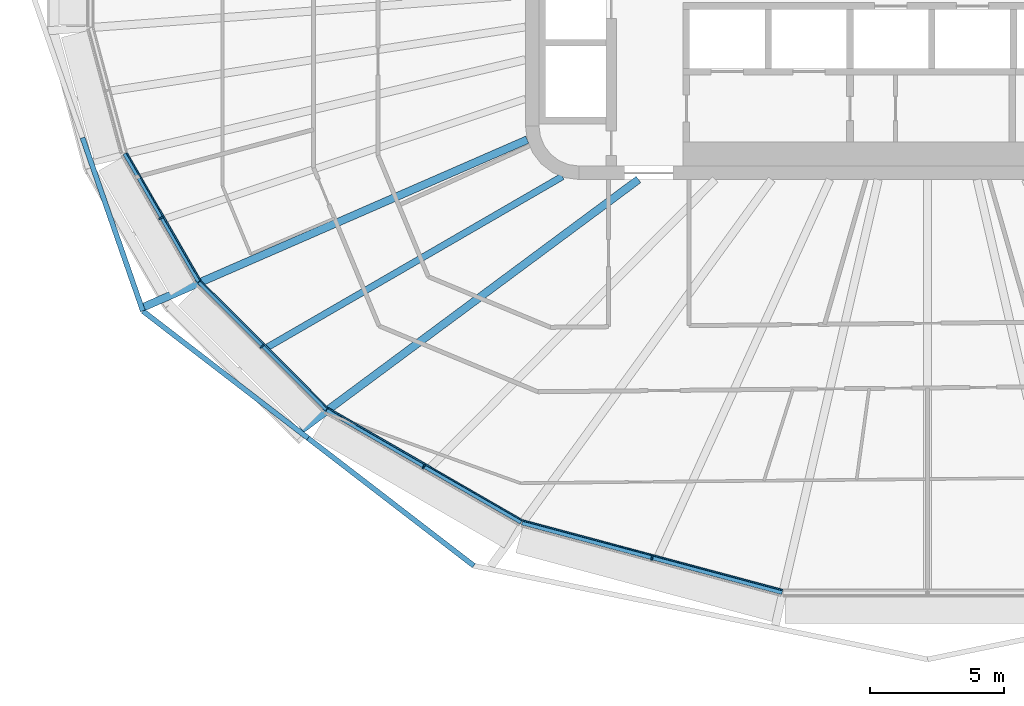
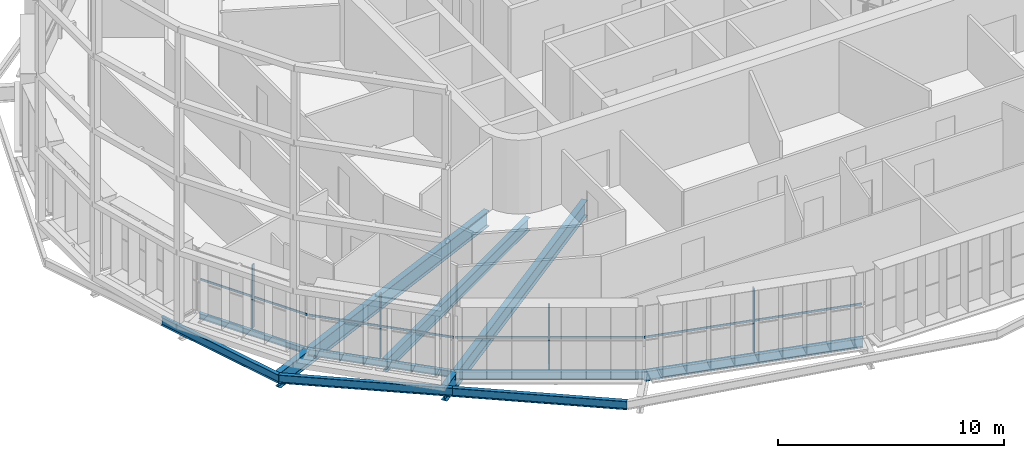
# One storey, part 1 of 24: 10 beams, 8 members, 4 elements without a shape of their own.
"""IFC4 building model written with IfcOpenShell, lengths in metres."""

from ifc_helpers import new_model, si_unit, direction, frame, origin, origin_2d, place, context, subcontext, project, spatial, rectangle, i_section, extrude, material, layer, layer_set, material_profile, profile_set, type_object, element, aggregate, save


model = new_model("IFC4")

# Units and contexts
model_context = context("Model", 3, precision=1e-05, world=origin(), true_north=direction((0.0, 1.0)))
body_context = subcontext(model_context, "Body", "Model", "MODEL_VIEW")
ifc_project = project(units=[si_unit("LENGTHUNIT", "METRE"), si_unit("AREAUNIT", "SQUARE_METRE"), si_unit("VOLUMEUNIT", "CUBIC_METRE"), si_unit("PLANEANGLEUNIT", "RADIAN"), si_unit("MASSUNIT", "GRAM", prefix="KILO")], contexts=[model_context])

# Site, building, storey
site_placement = place(None, origin())
site = spatial("IfcSite", under=ifc_project, at=site_placement, CompositionType="ELEMENT")
building_placement = place(site_placement, origin())
building = spatial("IfcBuilding", under=site, at=building_placement, Name="Sahrelin Media Tower", CompositionType="ELEMENT")
storey_placement = place(building_placement, frame((0.0, 0.0, 153.60009765625)))
storey = spatial("IfcBuildingStorey", under=building, at=storey_placement, Name="L31", CompositionType="ELEMENT", Elevation=153.60009765625)

# Beams
ifc_material_1 = material(Name="Steel S355", Category="steel")
ifc_material_profile_1 = material_profile(ifc_material_1, i_section(OverallWidth=0.1650390625, OverallDepth=0.303466796875, WebThickness=0.006103515625, FlangeThickness=0.01025390625, FilletRadius=0.0087890625, at=origin_2d()), Name="UB 305x165x40")
ifc_profile_set_1 = profile_set([ifc_material_profile_1], Name="Steel S355")
beam_type_1 = type_object("IfcBeamType", Name="Edge beam EB2", PredefinedType="BEAM", material=ifc_profile_set_1)
beam_1_placement = place(storey_placement, frame((-27.1826171875, -11.80078125, -0.3017578125), z_axis=(-0.499996181239, 0.866027608536, 0.0), x_axis=(-0.866027608536, -0.499996181239, 0.0)))
element("IfcBeam", 1, at=beam_1_placement, inside=storey, type_object=beam_type_1, Name="Edge beam L31-11", PredefinedType="BEAM", context=body_context, shape_type="SweptSolid", body=[
    extrude(i_section(OverallWidth=0.1650390625, OverallDepth=0.303466796875, WebThickness=0.006103515625, FlangeThickness=0.01025390625, FilletRadius=0.0087890625, at=origin_2d()), origin(), (0.0, 0.0, 1.0), 5.50732421875),
])
ifc_material_profile_2 = material_profile(ifc_material_1, i_section(OverallWidth=0.17138671875, OverallDepth=0.35498046875, WebThickness=0.00732421875, FlangeThickness=0.011474609375, FilletRadius=0.01025390625, at=origin_2d()), Name="UB 356x171x51")
ifc_profile_set_2 = profile_set([ifc_material_profile_2], Name="Steel S355")
beam_type_2 = type_object("IfcBeamType", Name="Edge beam EB3", PredefinedType="BEAM", material=ifc_profile_set_2)
beam_2_placement = place(storey_placement, frame((-22.424072265625, -16.564697265625, -0.32763671875), z_axis=(-0.707088574851, 0.707124987054, 0.0), x_axis=(-0.707124987054, -0.707088574851, 0.0)))
element("IfcBeam", 2, at=beam_2_placement, inside=storey, type_object=beam_type_2, Name="Edge beam L31-10", PredefinedType="BEAM", context=body_context, shape_type="SweptSolid", body=[
    extrude(i_section(OverallWidth=0.17138671875, OverallDepth=0.35498046875, WebThickness=0.00732421875, FlangeThickness=0.011474609375, FilletRadius=0.01025390625, at=origin_2d()), origin(), (0.0, 0.0, 1.0), 6.704833984375),
])
ifc_material_profile_3 = material_profile(ifc_material_1, i_section(OverallWidth=0.1904296875, OverallDepth=0.45703125, WebThickness=0.009033203125, FlangeThickness=0.014404296875, FilletRadius=0.01025390625, at=origin_2d()), Name="UB 457x191x74")
ifc_profile_set_3 = profile_set([ifc_material_profile_3], Name="Steel S355")
beam_type_3 = type_object("IfcBeamType", Name="Edge beam EB5", PredefinedType="BEAM", material=ifc_profile_set_3)
beam_3_placement = place(storey_placement, frame((-15.15087890625, -20.76806640625, -0.378662109375), z_axis=(-0.866019985848, 0.500009384024, 0.0), x_axis=(-0.500009384024, -0.866019985848, 0.0)))
element("IfcBeam", 3, at=beam_3_placement, inside=storey, type_object=beam_type_3, Name="Edge beam L31-09", PredefinedType="BEAM", context=body_context, shape_type="SweptSolid", body=[
    extrude(i_section(OverallWidth=0.1904296875, OverallDepth=0.45703125, WebThickness=0.009033203125, FlangeThickness=0.014404296875, FilletRadius=0.01025390625, at=origin_2d()), origin(), (0.0, 0.0, 1.0), 8.371826171875),
])
ifc_material_profile_4 = material_profile(ifc_material_1, i_section(OverallWidth=0.208740234375, OverallDepth=0.5283203125, WebThickness=0.009521484375, FlangeThickness=0.01318359375, FilletRadius=0.0126953125, at=origin_2d()), Name="UB 533x210x82")
ifc_profile_set_4 = profile_set([ifc_material_profile_4], Name="Steel S355")
beam_type_4 = type_object("IfcBeamType", Name="Edge beam EB6", PredefinedType="BEAM", material=ifc_profile_set_4)
beam_4_placement = place(storey_placement, frame((-5.422607421875, -23.378662109375, -0.414306640625), z_axis=(-0.965924398273, 0.258824374473, 0.0), x_axis=(-0.258824374473, -0.965924398273, 0.0)))
element("IfcBeam", 4, at=beam_4_placement, inside=storey, type_object=beam_type_4, Name="Edge beam L31-08", PredefinedType="BEAM", context=body_context, shape_type="SweptSolid", body=[
    extrude(i_section(OverallWidth=0.208740234375, OverallDepth=0.5283203125, WebThickness=0.009521484375, FlangeThickness=0.01318359375, FilletRadius=0.0126953125, at=origin_2d()), origin(), (0.0, 0.0, 1.0), 10.0439453125),
])

# Curtain wall, member
ifc_material_2 = material(Name="Champagne anodised aluminium 6063-T6", Category="aluminium")
ifc_layer = layer(ifc_material_2, 0.14990234375)
ifc_layer_set = layer_set([ifc_layer], Name="Tower ribbon curtain wall")
curtain_wall_type = type_object("IfcCurtainWallType", Name="Tower ribbon curtain wall", PredefinedType="NOTDEFINED", material=ifc_layer_set)
curtain_wall_1_placement = place(storey_placement, frame((-28.689208984375, -9.490966796875, 0.0), z_axis=(0.0, 0.0, 1.0), x_axis=(1.0, 0.0, 0.0)))
curtain_wall_1 = element("IfcCurtainWall", 5, at=curtain_wall_1_placement, inside=storey, type_object=curtain_wall_type, Name="L31:CW:L31-14", PredefinedType="NOTDEFINED")
ifc_material_profile_5 = material_profile(ifc_material_2, rectangle(XDim=0.06005859375, YDim=0.175048828125, at=origin_2d()), Name="Mullion 60x175")
ifc_profile_set_5 = profile_set([ifc_material_profile_5], Name="Champagne anodised aluminium 6063-T6")
member_type_1 = type_object("IfcMemberType", Name="Mullion 60x175 CW1B", PredefinedType="MULLION", material=ifc_profile_set_5)
member_1_placement = place(storey_placement, frame((-28.59619140625, -9.437255859375, 0.0), z_axis=(0.0, 0.0, 1.0), x_axis=(0.4999984885, -0.866026276448, 0.0)))
member_1 = element("IfcMember", 6, at=member_1_placement, type_object=member_type_1, Name="L31:CWM:L31-14", PredefinedType="MULLION", context=body_context, shape_type="SweptSolid", body=[
    extrude(rectangle(XDim=0.06005859375, YDim=0.175048828125, at=origin_2d()), origin(), (0.0, 0.0, 1.0), 3.448486328125),
])

curtain_wall_2_placement = place(storey_placement, frame((-24.900634765625, -14.30029296875, 0.0), z_axis=(0.0, 0.0, 1.0), x_axis=(1.0, 0.0, 0.0)))
curtain_wall_2 = element("IfcCurtainWall", 7, at=curtain_wall_2_placement, inside=storey, type_object=curtain_wall_type, Name="L31:CW:L31-15", PredefinedType="NOTDEFINED")
member_2_placement = place(storey_placement, frame((-24.824462890625, -14.22412109375, 0.0), z_axis=(0.0, 0.0, 1.0), x_axis=(0.707106781187, -0.707106781187, 0.0)))
member_2 = element("IfcMember", 8, at=member_2_placement, type_object=member_type_1, Name="L31:CWM:L31-15", PredefinedType="MULLION", context=body_context, shape_type="SweptSolid", body=[
    extrude(rectangle(XDim=0.06005859375, YDim=0.175048828125, at=origin_2d()), origin(), (0.0, 0.0, 1.0), 3.448486328125),
])

curtain_wall_3_placement = place(storey_placement, frame((-18.85107421875, -18.804931640625, 0.0), z_axis=(0.0, 0.0, 1.0), x_axis=(1.0, 0.0, 0.0)))
curtain_wall_3 = element("IfcCurtainWall", 9, at=curtain_wall_3_placement, inside=storey, type_object=curtain_wall_type, Name="L31:CW:L31-16", PredefinedType="NOTDEFINED")
member_3_placement = place(storey_placement, frame((-18.797119140625, -18.7119140625, 0.0), z_axis=(0.0, 0.0, 1.0), x_axis=(0.866025403784, -0.5, 0.0)))
member_3 = element("IfcMember", 10, at=member_3_placement, type_object=member_type_1, Name="L31:CWM:L31-16", PredefinedType="MULLION", context=body_context, shape_type="SweptSolid", body=[
    extrude(rectangle(XDim=0.06005859375, YDim=0.175048828125, at=origin_2d()), origin(), (0.0, 0.0, 1.0), 3.448486328125),
])

curtain_wall_4_placement = place(storey_placement, frame((-10.312255859375, -22.2236328125, 0.0), z_axis=(0.0, 0.0, 1.0), x_axis=(1.0, 0.0, 0.0)))
curtain_wall_4 = element("IfcCurtainWall", 11, at=curtain_wall_4_placement, inside=storey, type_object=curtain_wall_type, Name="L31:CW:L31-17", PredefinedType="NOTDEFINED")
member_4_placement = place(storey_placement, frame((-10.284423828125, -22.119873046875, 0.0), z_axis=(0.0, 0.0, 1.0), x_axis=(0.965926729732, -0.258815673384, 0.0)))
member_4 = element("IfcMember", 12, at=member_4_placement, type_object=member_type_1, Name="L31:CWM:L31-17", PredefinedType="MULLION", context=body_context, shape_type="SweptSolid", body=[
    extrude(rectangle(XDim=0.06005859375, YDim=0.175048828125, at=origin_2d()), origin(), (0.0, 0.0, 1.0), 3.448486328125),
])

# Beams
ifc_material_profile_6 = material_profile(ifc_material_1, i_section(OverallWidth=0.291748046875, OverallDepth=0.8349609375, WebThickness=0.013916015625, FlangeThickness=0.018798828125, FilletRadius=0.017822265625, at=origin_2d()), Name="UB 838x292x176")
ifc_profile_set_6 = profile_set([ifc_material_profile_6], Name="Steel S355")
beam_type_5 = type_object("IfcBeamType", Name="Radial primary beam PB10", PredefinedType="BEAM", material=ifc_profile_set_6)
beam_5_placement = place(storey_placement, frame((-14.9326171875, -6.51318359375, -0.567626953125), z_axis=(-0.916604172492, -0.399795936661, 0.0), x_axis=(0.399795936661, -0.916604172492, 0.0)))
element("IfcBeam", 13, at=beam_5_placement, inside=storey, type_object=beam_type_5, Name="Radial beam L31-15", PredefinedType="BEAM", context=body_context, shape_type="SweptSolid", body=[
    extrude(i_section(OverallWidth=0.291748046875, OverallDepth=0.8349609375, WebThickness=0.013916015625, FlangeThickness=0.018798828125, FilletRadius=0.017822265625, at=origin_2d()), origin(), (0.0, 0.0, 1.0), 15.592041015625),
])
beam_6_placement = place(storey_placement, frame((-10.784423828125, -8.0, -0.567626953125), z_axis=(-0.803150241364, -0.59577654351, 0.0), x_axis=(0.59577654351, -0.803150241364, 0.0)))
element("IfcBeam", 14, at=beam_6_placement, inside=storey, type_object=beam_type_5, Name="Radial beam L31-16", PredefinedType="BEAM", context=body_context, shape_type="SweptSolid", body=[
    extrude(i_section(OverallWidth=0.291748046875, OverallDepth=0.8349609375, WebThickness=0.013916015625, FlangeThickness=0.018798828125, FilletRadius=0.017822265625, at=origin_2d()), origin(), (0.0, 0.0, 1.0), 15.66162109375),
])
ifc_material_profile_7 = material_profile(ifc_material_1, i_section(OverallWidth=0.2529296875, OverallDepth=0.677978515625, WebThickness=0.01171875, FlangeThickness=0.01611328125, FilletRadius=0.01513671875, at=origin_2d()), Name="UB 686x254x125")
ifc_profile_set_7 = profile_set([ifc_material_profile_7], Name="Steel S355")
beam_type_6 = type_object("IfcBeamType", Name="Radial secondary beam SB8", PredefinedType="BEAM", material=ifc_profile_set_7)
beam_7_placement = place(storey_placement, frame((-13.624755859375, -7.887451171875, -0.489013671875), z_axis=(-0.865442516247, -0.501008234535, 0.0), x_axis=(0.501008234535, -0.865442516247, 0.0)))
element("IfcBeam", 15, at=beam_7_placement, inside=storey, type_object=beam_type_6, Name="Secondary beam L31-15", PredefinedType="BEAM", context=body_context, shape_type="SweptSolid", body=[
    extrude(i_section(OverallWidth=0.2529296875, OverallDepth=0.677978515625, WebThickness=0.01171875, FlangeThickness=0.01611328125, FilletRadius=0.01513671875, at=origin_2d()), origin(), (0.0, 0.0, 1.0), 12.700927734375),
])
ifc_material_profile_8 = material_profile(ifc_material_1, i_section(OverallWidth=0.1904296875, OverallDepth=0.45703125, WebThickness=0.009033203125, FlangeThickness=0.014404296875, FilletRadius=0.01025390625, at=origin_2d()), Name="UB 457x191x74")
ifc_profile_set_8 = profile_set([ifc_material_profile_8], Name="Steel S355")
beam_type_7 = type_object("IfcBeamType", Name="Tie chord TC5", PredefinedType="BEAM", material=ifc_profile_set_8)
beam_8_placement = place(storey_placement, frame((-16.92578125, -22.4052734375, -0.378662109375), z_axis=(-0.792471623605, 0.609908784804, 0.0), x_axis=(-0.609908784804, -0.792471623605, 0.0)))
element("IfcBeam", 16, at=beam_8_placement, inside=storey, type_object=beam_type_7, Name="Tie chord L31-07", PredefinedType="BEAM", context=body_context, shape_type="SweptSolid", body=[
    extrude(i_section(OverallWidth=0.1904296875, OverallDepth=0.45703125, WebThickness=0.009033203125, FlangeThickness=0.014404296875, FilletRadius=0.01025390625, at=origin_2d()), origin(), (0.0, 0.0, 1.0), 7.804443359375),
])
beam_9_placement = place(storey_placement, frame((-23.110595703125, -17.645263671875, -0.378662109375), z_axis=(-0.7924640011, 0.60991868881, 0.0), x_axis=(-0.60991868881, -0.7924640011, 0.0)))
element("IfcBeam", 17, at=beam_9_placement, inside=storey, type_object=beam_type_7, Name="Tie chord L31-08", PredefinedType="BEAM", context=body_context, shape_type="SweptSolid", body=[
    extrude(i_section(OverallWidth=0.1904296875, OverallDepth=0.45703125, WebThickness=0.009033203125, FlangeThickness=0.014404296875, FilletRadius=0.01025390625, at=origin_2d()), origin(), (0.0, 0.0, 1.0), 7.773193359375),
])
beam_10_placement = place(storey_placement, frame((-29.2705078125, -12.904296875, -0.378662109375), z_axis=(-0.328754464222, 0.944415428852, 0.0), x_axis=(-0.944415428852, -0.328754464222, 0.0)))
element("IfcBeam", 18, at=beam_10_placement, inside=storey, type_object=beam_type_7, Name="Tie chord L31-09", PredefinedType="BEAM", context=body_context, shape_type="SweptSolid", body=[
    extrude(i_section(OverallWidth=0.1904296875, OverallDepth=0.45703125, WebThickness=0.009033203125, FlangeThickness=0.014404296875, FilletRadius=0.01025390625, at=origin_2d()), origin(), (0.0, 0.0, 1.0), 6.84326171875),
])

# Member
ifc_material_profile_9 = material_profile(ifc_material_2, rectangle(XDim=0.050048828125, YDim=0.110107421875, at=origin_2d()), Name="Transom 50x110")
ifc_profile_set_9 = profile_set([ifc_material_profile_9], Name="Champagne anodised aluminium 6063-T6")
member_type_2 = type_object("IfcMemberType", Name="Transom 50x110 CW1B", PredefinedType="USERDEFINED", material=ifc_profile_set_9)
member_5_placement = place(storey_placement, frame((-29.86767578125, -7.010009765625, 1.599853515625), z_axis=(0.49998489776, -0.866034122891, 0.0), x_axis=(0.866034122891, 0.49998489776, 0.0)))
member_5 = element("IfcMember", 19, at=member_5_placement, type_object=member_type_2, Name="L31:CWT:L31-14", ObjectType="TRANSOM", PredefinedType="USERDEFINED", context=body_context, shape_type="SweptSolid", body=[
    extrude(rectangle(XDim=0.050048828125, YDim=0.110107421875, at=origin_2d()), origin(), (0.0, 0.0, 1.0), 5.475830078125),
])

aggregate(curtain_wall_1, [member_1, member_5])

member_6_placement = place(storey_placement, frame((-27.1044921875, -11.78515625, 1.599853515625), z_axis=(0.707125072767, -0.707088489133, 0.0), x_axis=(0.707088489133, 0.707125072767, 0.0)))
member_6 = element("IfcMember", 20, at=member_6_placement, type_object=member_type_2, Name="L31:CWT:L31-15", ObjectType="TRANSOM", PredefinedType="USERDEFINED", context=body_context, shape_type="SweptSolid", body=[
    extrude(rectangle(XDim=0.050048828125, YDim=0.110107421875, at=origin_2d()), origin(), (0.0, 0.0, 1.0), 6.673583984375),
])

aggregate(curtain_wall_2, [member_2, member_6])

member_7_placement = place(storey_placement, frame((-22.3525390625, -16.529296875, 1.599853515625), z_axis=(0.866018876994, -0.500011304563, 0.0), x_axis=(0.500011304563, 0.866018876994, 0.0)))
member_7 = element("IfcMember", 21, at=member_7_placement, type_object=member_type_2, Name="L31:CWT:L31-16", ObjectType="TRANSOM", PredefinedType="USERDEFINED", context=body_context, shape_type="SweptSolid", body=[
    extrude(rectangle(XDim=0.050048828125, YDim=0.110107421875, at=origin_2d()), origin(), (0.0, 0.0, 1.0), 8.340576171875),
])

aggregate(curtain_wall_3, [member_3, member_7])

member_8_placement = place(storey_placement, frame((-15.091064453125, -20.715576171875, 1.599853515625), z_axis=(0.965929113775, -0.258806775726, 0.0), x_axis=(0.258806775726, 0.965929113775, 0.0)))
member_8 = element("IfcMember", 22, at=member_8_placement, type_object=member_type_2, Name="L31:CWT:L31-17", ObjectType="TRANSOM", PredefinedType="USERDEFINED", context=body_context, shape_type="SweptSolid", body=[
    extrude(rectangle(XDim=0.050048828125, YDim=0.110107421875, at=origin_2d()), origin(), (0.0, 0.0, 1.0), 10.012451171875),
])

aggregate(curtain_wall_4, [member_4, member_8])

save(model, "model.ifc")
